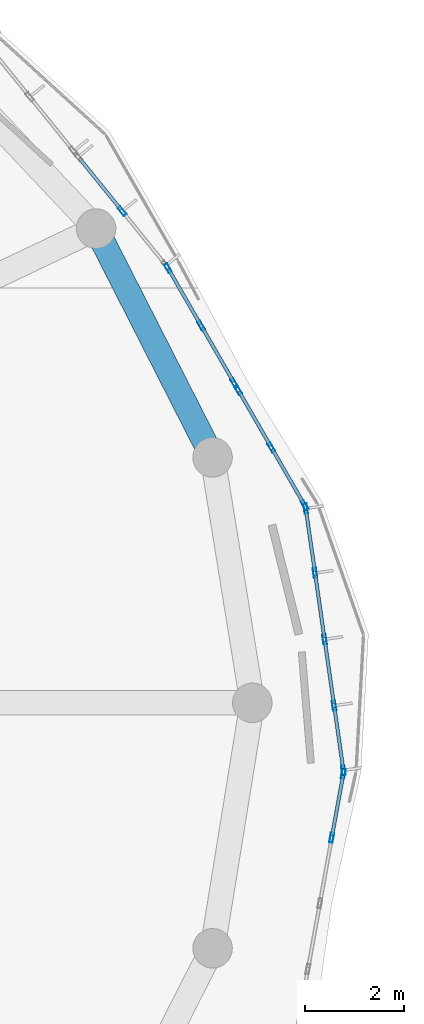
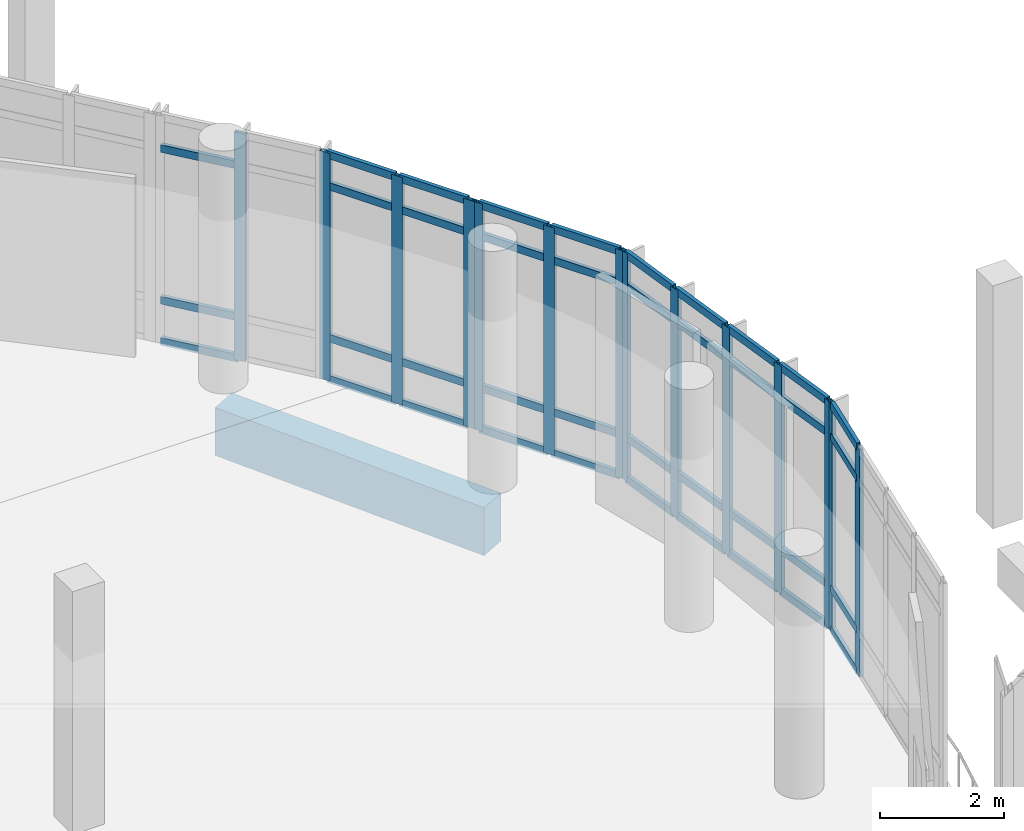
# One storey, part 15 of 63: 53 members, 1 beam, 5 elements without a shape of their own.
"""IFC4 building model written with IfcOpenShell, lengths in metres."""

from ifc_helpers import new_model, si_unit, derived_unit, direction, frame, origin, origin_2d, place, context, subcontext, project, spatial, rectangle, hollow_rectangle, extrude, material, layer, layer_set, material_profile, profile_set, type_object, element, aggregate, save


model = new_model("IFC4")

# Units and contexts
model_context = context("Model", 3, precision=1e-05, world=origin(), true_north=direction((0.0, 1.0)))
body_context = subcontext(model_context, "Body", "Model", "MODEL_VIEW")
ifc_project = project(units=[si_unit("LENGTHUNIT", "METRE"), si_unit("AREAUNIT", "SQUARE_METRE"), si_unit("VOLUMEUNIT", "CUBIC_METRE"), si_unit("PLANEANGLEUNIT", "RADIAN"), si_unit("MASSUNIT", "GRAM", prefix="KILO"), derived_unit("THERMALTRANSMITTANCEUNIT", [(si_unit("POWERUNIT", "WATT"), 1), (si_unit("LENGTHUNIT", "METRE"), -2), (si_unit("THERMODYNAMICTEMPERATUREUNIT", "KELVIN"), -1)])], contexts=[model_context])

# Site, building, storey
site_placement = place(None, origin())
site = spatial("IfcSite", under=ifc_project, at=site_placement, CompositionType="ELEMENT")
building_placement = place(site_placement, origin())
building = spatial("IfcBuilding", under=site, at=building_placement, Name="Elbkamm Science Centre", CompositionType="ELEMENT")
storey_placement = place(building_placement, frame((0.0, 0.0, 5.10009765625)))
storey = spatial("IfcBuildingStorey", under=building, at=storey_placement, Name="L01", CompositionType="ELEMENT", Elevation=5.10009765625)

# Beam
ifc_material_1 = material(Name="Concrete C40/50", Category="concrete")
ifc_material_profile_1 = material_profile(ifc_material_1, rectangle(XDim=0.5, YDim=0.949951171875, at=origin_2d()), Name="RC 500x950")
ifc_profile_set_1 = profile_set([ifc_material_profile_1], Name="Concrete C40/50")
beam_type = type_object("IfcBeamType", Name="BM-RC-500x950", PredefinedType="BEAM", material=ifc_profile_set_1)
beam_placement = place(storey_placement, frame((85.7958984375, 72.1689453125, -0.875), z_axis=(-0.453722384609, 0.891143084866, 0.0), x_axis=(-0.891143084866, -0.453722384609, 0.0)))
element("IfcBeam", 1, at=beam_placement, inside=storey, type_object=beam_type, Name="L01 Elliptical Shell Perimeter Ring Beam 02", PredefinedType="SPANDREL", context=body_context, shape_type="SweptSolid", body=[
    extrude(rectangle(XDim=0.5, YDim=0.949951171875, at=origin_2d()), origin(), (0.0, 0.0, 1.0), 5.19677734375),
])

# Curtain wall, members
ifc_material_2 = material(Name="Powder-coated aluminium and triple low-E glazing", Category="aluminium")
ifc_layer_1 = layer(ifc_material_2, 0.159912109375)
ifc_layer_set_1 = layer_set([ifc_layer_1], Name="Powder-coated aluminium and triple low-E glazing")
curtain_wall_type_1 = type_object("IfcCurtainWallType", Name="CW-UNIT-5420x4500", PredefinedType="USERDEFINED", material=ifc_layer_set_1)
curtain_wall_1_placement = place(storey_placement, origin())
curtain_wall_1 = element("IfcCurtainWall", 2, at=curtain_wall_1_placement, inside=storey, type_object=curtain_wall_type_1, Name="L01 Unitised Curtain Wall 001", ObjectType="UNITISED CURTAIN WALL", PredefinedType="USERDEFINED")
ifc_material_3 = material(Name="Powder-coated aluminium EN AW-6060", Category="aluminium")
ifc_material_profile_2 = material_profile(ifc_material_3, hollow_rectangle(XDim=0.070068359375, YDim=0.199951171875, WallThickness=0.00439453125, at=origin_2d()), Name="ALU M70x200")
ifc_profile_set_2 = profile_set([ifc_material_profile_2], Name="Powder-coated aluminium EN AW-6060")
member_type_1 = type_object("IfcMemberType", Name="CW-MUL-70x200", PredefinedType="MULLION", material=ifc_profile_set_2)
member_1_placement = place(storey_placement, frame((88.445068359375, 65.834716796875, 0.0), z_axis=(0.0, 0.0, 1.0), x_axis=(-0.989818944371, -0.142332207756, 0.0)))
member_1 = element("IfcMember", 3, at=member_1_placement, type_object=member_type_1, Name="CW-001 mullion 1", PredefinedType="MULLION", context=body_context, shape_type="SweptSolid", body=[
    extrude(hollow_rectangle(XDim=0.070068359375, YDim=0.199951171875, WallThickness=0.00439453125, at=origin_2d()), origin(), (0.0, 0.0, 1.0), 4.5),
])
member_2_placement = place(storey_placement, frame((88.2568359375, 67.142578125, 0.0), z_axis=(0.0, 0.0, 1.0), x_axis=(-0.989818944371, -0.142332207756, 0.0)))
member_2 = element("IfcMember", 4, at=member_2_placement, type_object=member_type_1, Name="CW-001 mullion 2", PredefinedType="MULLION", context=body_context, shape_type="SweptSolid", body=[
    extrude(hollow_rectangle(XDim=0.070068359375, YDim=0.199951171875, WallThickness=0.00439453125, at=origin_2d()), origin(), (0.0, 0.0, 1.0), 4.5),
])
member_3_placement = place(storey_placement, frame((88.06396484375, 68.485107421875, 0.0), z_axis=(0.0, 0.0, 1.0), x_axis=(-0.989818944371, -0.142332207756, 0.0)))
member_3 = element("IfcMember", 5, at=member_3_placement, type_object=member_type_1, Name="CW-001 mullion 3", PredefinedType="MULLION", context=body_context, shape_type="SweptSolid", body=[
    extrude(hollow_rectangle(XDim=0.070068359375, YDim=0.199951171875, WallThickness=0.00439453125, at=origin_2d()), origin(), (0.0, 0.0, 1.0), 4.5),
])
member_4_placement = place(storey_placement, frame((87.870849609375, 69.82763671875, 0.0), z_axis=(0.0, 0.0, 1.0), x_axis=(-0.989818944371, -0.142332207756, 0.0)))
member_4 = element("IfcMember", 6, at=member_4_placement, type_object=member_type_1, Name="CW-001 mullion 4", PredefinedType="MULLION", context=body_context, shape_type="SweptSolid", body=[
    extrude(hollow_rectangle(XDim=0.070068359375, YDim=0.199951171875, WallThickness=0.00439453125, at=origin_2d()), origin(), (0.0, 0.0, 1.0), 4.5),
])
member_5_placement = place(storey_placement, frame((87.682861328125, 71.135498046875, 0.0), z_axis=(0.0, 0.0, 1.0), x_axis=(-0.989818944371, -0.142332207756, 0.0)))
member_5 = element("IfcMember", 7, at=member_5_placement, type_object=member_type_1, Name="CW-001 mullion 5", PredefinedType="MULLION", context=body_context, shape_type="SweptSolid", body=[
    extrude(hollow_rectangle(XDim=0.070068359375, YDim=0.199951171875, WallThickness=0.00439453125, at=origin_2d()), origin(), (0.0, 0.0, 1.0), 4.5),
])

ifc_layer_2 = layer(ifc_material_2, 0.159912109375)
ifc_layer_set_2 = layer_set([ifc_layer_2], Name="Powder-coated aluminium and triple low-E glazing")
curtain_wall_type_2 = type_object("IfcCurtainWallType", Name="CW-UNIT-2760x4500", PredefinedType="USERDEFINED", material=ifc_layer_set_2)
curtain_wall_2_placement = place(storey_placement, origin())
curtain_wall_2 = element("IfcCurtainWall", 8, at=curtain_wall_2_placement, inside=storey, type_object=curtain_wall_type_2, Name="L01 Unitised Curtain Wall 002", ObjectType="UNITISED CURTAIN WALL", PredefinedType="USERDEFINED")
member_6_placement = place(storey_placement, frame((87.660400390625, 71.200439453125, 0.0), z_axis=(0.0, 0.0, 1.0), x_axis=(-0.866327051275, -0.499477166875, 0.0)))
member_6 = element("IfcMember", 9, at=member_6_placement, type_object=member_type_1, Name="CW-002 mullion 1", PredefinedType="MULLION", context=body_context, shape_type="SweptSolid", body=[
    extrude(hollow_rectangle(XDim=0.070068359375, YDim=0.199951171875, WallThickness=0.00439453125, at=origin_2d()), origin(), (0.0, 0.0, 1.0), 4.5),
])
member_7_placement = place(storey_placement, frame((86.9873046875, 72.36767578125, 0.0), z_axis=(0.0, 0.0, 1.0), x_axis=(-0.866327051275, -0.499477166875, 0.0)))
member_7 = element("IfcMember", 10, at=member_7_placement, type_object=member_type_1, Name="CW-002 mullion 2", PredefinedType="MULLION", context=body_context, shape_type="SweptSolid", body=[
    extrude(hollow_rectangle(XDim=0.070068359375, YDim=0.199951171875, WallThickness=0.00439453125, at=origin_2d()), origin(), (0.0, 0.0, 1.0), 4.5),
])
member_8_placement = place(storey_placement, frame((86.314208984375, 73.53515625, 0.0), z_axis=(0.0, 0.0, 1.0), x_axis=(-0.866327051275, -0.499477166875, 0.0)))
member_8 = element("IfcMember", 11, at=member_8_placement, type_object=member_type_1, Name="CW-002 mullion 3", PredefinedType="MULLION", context=body_context, shape_type="SweptSolid", body=[
    extrude(hollow_rectangle(XDim=0.070068359375, YDim=0.199951171875, WallThickness=0.00439453125, at=origin_2d()), origin(), (0.0, 0.0, 1.0), 4.5),
])

curtain_wall_3_placement = place(storey_placement, origin())
curtain_wall_3 = element("IfcCurtainWall", 12, at=curtain_wall_3_placement, inside=storey, type_object=curtain_wall_type_2, Name="L01 Unitised Curtain Wall 003", ObjectType="UNITISED CURTAIN WALL", PredefinedType="USERDEFINED")
member_9_placement = place(storey_placement, frame((86.2392578125, 73.6650390625, 0.0), z_axis=(0.0, 0.0, 1.0), x_axis=(-0.866327051275, -0.499477166875, 0.0)))
member_9 = element("IfcMember", 13, at=member_9_placement, type_object=member_type_1, Name="CW-002 mullion 1", PredefinedType="MULLION", context=body_context, shape_type="SweptSolid", body=[
    extrude(hollow_rectangle(XDim=0.070068359375, YDim=0.199951171875, WallThickness=0.00439453125, at=origin_2d()), origin(), (0.0, 0.0, 1.0), 4.5),
])
member_10_placement = place(storey_placement, frame((85.56640625, 74.832275390625, 0.0), z_axis=(0.0, 0.0, 1.0), x_axis=(-0.866327051275, -0.499477166875, 0.0)))
member_10 = element("IfcMember", 14, at=member_10_placement, type_object=member_type_1, Name="CW-002 mullion 2", PredefinedType="MULLION", context=body_context, shape_type="SweptSolid", body=[
    extrude(hollow_rectangle(XDim=0.070068359375, YDim=0.199951171875, WallThickness=0.00439453125, at=origin_2d()), origin(), (0.0, 0.0, 1.0), 4.5),
])
member_11_placement = place(storey_placement, frame((84.893310546875, 75.999755859375, 0.0), z_axis=(0.0, 0.0, 1.0), x_axis=(-0.866327051275, -0.499477166875, 0.0)))
member_11 = element("IfcMember", 15, at=member_11_placement, type_object=member_type_1, Name="CW-002 mullion 3", PredefinedType="MULLION", context=body_context, shape_type="SweptSolid", body=[
    extrude(hollow_rectangle(XDim=0.070068359375, YDim=0.199951171875, WallThickness=0.00439453125, at=origin_2d()), origin(), (0.0, 0.0, 1.0), 4.5),
])

# Curtain wall, member
ifc_layer_3 = layer(ifc_material_2, 0.159912109375)
ifc_layer_set_3 = layer_set([ifc_layer_3], Name="Powder-coated aluminium and triple low-E glazing")
curtain_wall_type_3 = type_object("IfcCurtainWallType", Name="CW-UNIT-2900x4500", PredefinedType="USERDEFINED", material=ifc_layer_set_3)
curtain_wall_4_placement = place(storey_placement, origin())
curtain_wall_4 = element("IfcCurtainWall", 16, at=curtain_wall_4_placement, inside=storey, type_object=curtain_wall_type_3, Name="L01 Unitised Curtain Wall 004", ObjectType="UNITISED CURTAIN WALL", PredefinedType="USERDEFINED")
member_12_placement = place(storey_placement, frame((83.9658203125, 77.15478515625, 0.0), z_axis=(0.0, 0.0, 1.0), x_axis=(-0.777492683372, -0.628891983811, 0.0)))
member_12 = element("IfcMember", 17, at=member_12_placement, type_object=member_type_1, Name="CW-003 mullion 2", PredefinedType="MULLION", context=body_context, shape_type="SweptSolid", body=[
    extrude(hollow_rectangle(XDim=0.070068359375, YDim=0.199951171875, WallThickness=0.00439453125, at=origin_2d()), origin(), (0.0, 0.0, 1.0), 4.5),
])

# Curtain wall, members
ifc_layer_4 = layer(ifc_material_2, 0.159912109375)
ifc_layer_set_4 = layer_set([ifc_layer_4], Name="Powder-coated aluminium and triple low-E glazing")
curtain_wall_type_4 = type_object("IfcCurtainWallType", Name="CW-UNIT-5400x4500", PredefinedType="USERDEFINED", material=ifc_layer_set_4)
curtain_wall_5_placement = place(storey_placement, origin())
curtain_wall_5 = element("IfcCurtainWall", 18, at=curtain_wall_5_placement, inside=storey, type_object=curtain_wall_type_4, Name="L01 Unitised Curtain Wall 015", ObjectType="UNITISED CURTAIN WALL", PredefinedType="USERDEFINED")
member_13_placement = place(storey_placement, frame((88.20947265625, 64.47021484375, 0.0), z_axis=(0.0, 0.0, 1.0), x_axis=(-0.984029942845, 0.178003010042, 0.0)))
member_13 = element("IfcMember", 19, at=member_13_placement, type_object=member_type_1, Name="CW-009 mullion 4", PredefinedType="MULLION", context=body_context, shape_type="SweptSolid", body=[
    extrude(hollow_rectangle(XDim=0.070068359375, YDim=0.199951171875, WallThickness=0.00439453125, at=origin_2d()), origin(), (0.0, 0.0, 1.0), 4.5),
])
member_14_placement = place(storey_placement, frame((88.44384765625, 65.765625, 0.0), z_axis=(0.0, 0.0, 1.0), x_axis=(-0.984029942845, 0.178003010042, 0.0)))
member_14 = element("IfcMember", 20, at=member_14_placement, type_object=member_type_1, Name="CW-009 mullion 5", PredefinedType="MULLION", context=body_context, shape_type="SweptSolid", body=[
    extrude(hollow_rectangle(XDim=0.070068359375, YDim=0.199951171875, WallThickness=0.00439453125, at=origin_2d()), origin(), (0.0, 0.0, 1.0), 4.5),
])

# Member
ifc_material_profile_3 = material_profile(ifc_material_3, hollow_rectangle(XDim=0.070068359375, YDim=0.14990234375, WallThickness=0.00390625, at=origin_2d()), Name="ALU T70x150")
ifc_profile_set_3 = profile_set([ifc_material_profile_3], Name="Powder-coated aluminium EN AW-6060")
member_type_2 = type_object("IfcMemberType", Name="CW-TRN-70x150", PredefinedType="USERDEFINED", material=ifc_profile_set_3)
member_15_placement = place(storey_placement, frame((88.43994140625, 65.869384765625, 0.034912109375), z_axis=(-0.142240802114, 0.989832083848, 0.0), x_axis=(-0.989832083848, -0.142240802114, 0.0)))
member_15 = element("IfcMember", 21, at=member_15_placement, type_object=member_type_2, Name="CW-001 transom 1.1", ObjectType="TRANSOM", PredefinedType="USERDEFINED", context=body_context, shape_type="SweptSolid", body=[
    extrude(hollow_rectangle(XDim=0.070068359375, YDim=0.14990234375, WallThickness=0.00390625, at=origin_2d()), origin(), (0.0, 0.0, 1.0), 1.251220703125),
])

member_16_placement = place(storey_placement, frame((88.43994140625, 65.869384765625, 0.849853515625), z_axis=(-0.142240802114, 0.989832083848, 0.0), x_axis=(-0.989832083848, -0.142240802114, 0.0)))
member_16 = element("IfcMember", 22, at=member_16_placement, type_object=member_type_2, Name="CW-001 transom 1.2", ObjectType="TRANSOM", PredefinedType="USERDEFINED", context=body_context, shape_type="SweptSolid", body=[
    extrude(hollow_rectangle(XDim=0.070068359375, YDim=0.14990234375, WallThickness=0.00390625, at=origin_2d()), origin(), (0.0, 0.0, 1.0), 1.251220703125),
])

member_17_placement = place(storey_placement, frame((88.43994140625, 65.869384765625, 3.849853515625), z_axis=(-0.142240802114, 0.989832083848, 0.0), x_axis=(-0.989832083848, -0.142240802114, 0.0)))
member_17 = element("IfcMember", 23, at=member_17_placement, type_object=member_type_2, Name="CW-001 transom 1.3", ObjectType="TRANSOM", PredefinedType="USERDEFINED", context=body_context, shape_type="SweptSolid", body=[
    extrude(hollow_rectangle(XDim=0.070068359375, YDim=0.14990234375, WallThickness=0.00390625, at=origin_2d()), origin(), (0.0, 0.0, 1.0), 1.251220703125),
])

member_18_placement = place(storey_placement, frame((88.43994140625, 65.869384765625, 4.46484375), z_axis=(-0.142240802114, 0.989832083848, 0.0), x_axis=(-0.989832083848, -0.142240802114, 0.0)))
member_18 = element("IfcMember", 24, at=member_18_placement, type_object=member_type_2, Name="CW-001 transom 1.4", ObjectType="TRANSOM", PredefinedType="USERDEFINED", context=body_context, shape_type="SweptSolid", body=[
    extrude(hollow_rectangle(XDim=0.070068359375, YDim=0.14990234375, WallThickness=0.00390625, at=origin_2d()), origin(), (0.0, 0.0, 1.0), 1.251220703125),
])

member_19_placement = place(storey_placement, frame((88.251953125, 67.17724609375, 0.034912109375), z_axis=(-0.142351322468, 0.989816195559, 0.0), x_axis=(-0.989816195559, -0.142351322468, 0.0)))
member_19 = element("IfcMember", 25, at=member_19_placement, type_object=member_type_2, Name="CW-001 transom 2.1", ObjectType="TRANSOM", PredefinedType="USERDEFINED", context=body_context, shape_type="SweptSolid", body=[
    extrude(hollow_rectangle(XDim=0.070068359375, YDim=0.14990234375, WallThickness=0.00390625, at=origin_2d()), origin(), (0.0, 0.0, 1.0), 1.286376953125),
])

member_20_placement = place(storey_placement, frame((88.251953125, 67.17724609375, 0.849853515625), z_axis=(-0.142351322468, 0.989816195559, 0.0), x_axis=(-0.989816195559, -0.142351322468, 0.0)))
member_20 = element("IfcMember", 26, at=member_20_placement, type_object=member_type_2, Name="CW-001 transom 2.2", ObjectType="TRANSOM", PredefinedType="USERDEFINED", context=body_context, shape_type="SweptSolid", body=[
    extrude(hollow_rectangle(XDim=0.070068359375, YDim=0.14990234375, WallThickness=0.00390625, at=origin_2d()), origin(), (0.0, 0.0, 1.0), 1.286376953125),
])

member_21_placement = place(storey_placement, frame((88.251953125, 67.17724609375, 3.849853515625), z_axis=(-0.142351322468, 0.989816195559, 0.0), x_axis=(-0.989816195559, -0.142351322468, 0.0)))
member_21 = element("IfcMember", 27, at=member_21_placement, type_object=member_type_2, Name="CW-001 transom 2.3", ObjectType="TRANSOM", PredefinedType="USERDEFINED", context=body_context, shape_type="SweptSolid", body=[
    extrude(hollow_rectangle(XDim=0.070068359375, YDim=0.14990234375, WallThickness=0.00390625, at=origin_2d()), origin(), (0.0, 0.0, 1.0), 1.286376953125),
])

member_22_placement = place(storey_placement, frame((88.251953125, 67.17724609375, 4.46484375), z_axis=(-0.142351322468, 0.989816195559, 0.0), x_axis=(-0.989816195559, -0.142351322468, 0.0)))
member_22 = element("IfcMember", 28, at=member_22_placement, type_object=member_type_2, Name="CW-001 transom 2.4", ObjectType="TRANSOM", PredefinedType="USERDEFINED", context=body_context, shape_type="SweptSolid", body=[
    extrude(hollow_rectangle(XDim=0.070068359375, YDim=0.14990234375, WallThickness=0.00390625, at=origin_2d()), origin(), (0.0, 0.0, 1.0), 1.286376953125),
])

member_23_placement = place(storey_placement, frame((88.058837890625, 68.519775390625, 0.034912109375), z_axis=(-0.142351322468, 0.989816195559, 0.0), x_axis=(-0.989816195559, -0.142351322468, 0.0)))
member_23 = element("IfcMember", 29, at=member_23_placement, type_object=member_type_2, Name="CW-001 transom 3.1", ObjectType="TRANSOM", PredefinedType="USERDEFINED", context=body_context, shape_type="SweptSolid", body=[
    extrude(hollow_rectangle(XDim=0.070068359375, YDim=0.14990234375, WallThickness=0.00390625, at=origin_2d()), origin(), (0.0, 0.0, 1.0), 1.286376953125),
])

member_24_placement = place(storey_placement, frame((88.058837890625, 68.519775390625, 0.849853515625), z_axis=(-0.142351322468, 0.989816195559, 0.0), x_axis=(-0.989816195559, -0.142351322468, 0.0)))
member_24 = element("IfcMember", 30, at=member_24_placement, type_object=member_type_2, Name="CW-001 transom 3.2", ObjectType="TRANSOM", PredefinedType="USERDEFINED", context=body_context, shape_type="SweptSolid", body=[
    extrude(hollow_rectangle(XDim=0.070068359375, YDim=0.14990234375, WallThickness=0.00390625, at=origin_2d()), origin(), (0.0, 0.0, 1.0), 1.286376953125),
])

member_25_placement = place(storey_placement, frame((88.058837890625, 68.519775390625, 3.849853515625), z_axis=(-0.142351322468, 0.989816195559, 0.0), x_axis=(-0.989816195559, -0.142351322468, 0.0)))
member_25 = element("IfcMember", 31, at=member_25_placement, type_object=member_type_2, Name="CW-001 transom 3.3", ObjectType="TRANSOM", PredefinedType="USERDEFINED", context=body_context, shape_type="SweptSolid", body=[
    extrude(hollow_rectangle(XDim=0.070068359375, YDim=0.14990234375, WallThickness=0.00390625, at=origin_2d()), origin(), (0.0, 0.0, 1.0), 1.286376953125),
])

member_26_placement = place(storey_placement, frame((88.058837890625, 68.519775390625, 4.46484375), z_axis=(-0.142351322468, 0.989816195559, 0.0), x_axis=(-0.989816195559, -0.142351322468, 0.0)))
member_26 = element("IfcMember", 32, at=member_26_placement, type_object=member_type_2, Name="CW-001 transom 3.4", ObjectType="TRANSOM", PredefinedType="USERDEFINED", context=body_context, shape_type="SweptSolid", body=[
    extrude(hollow_rectangle(XDim=0.070068359375, YDim=0.14990234375, WallThickness=0.00390625, at=origin_2d()), origin(), (0.0, 0.0, 1.0), 1.286376953125),
])

member_27_placement = place(storey_placement, frame((87.865966796875, 69.8623046875, 0.034912109375), z_axis=(-0.142431964142, 0.98980459465, 0.0), x_axis=(-0.98980459465, -0.142431964142, 0.0)))
member_27 = element("IfcMember", 33, at=member_27_placement, type_object=member_type_2, Name="CW-001 transom 4.1", ObjectType="TRANSOM", PredefinedType="USERDEFINED", context=body_context, shape_type="SweptSolid", body=[
    extrude(hollow_rectangle(XDim=0.070068359375, YDim=0.14990234375, WallThickness=0.00390625, at=origin_2d()), origin(), (0.0, 0.0, 1.0), 1.251220703125),
])

member_28_placement = place(storey_placement, frame((87.865966796875, 69.8623046875, 0.849853515625), z_axis=(-0.142431964142, 0.98980459465, 0.0), x_axis=(-0.98980459465, -0.142431964142, 0.0)))
member_28 = element("IfcMember", 34, at=member_28_placement, type_object=member_type_2, Name="CW-001 transom 4.2", ObjectType="TRANSOM", PredefinedType="USERDEFINED", context=body_context, shape_type="SweptSolid", body=[
    extrude(hollow_rectangle(XDim=0.070068359375, YDim=0.14990234375, WallThickness=0.00390625, at=origin_2d()), origin(), (0.0, 0.0, 1.0), 1.251220703125),
])

member_29_placement = place(storey_placement, frame((87.865966796875, 69.8623046875, 3.849853515625), z_axis=(-0.142431964142, 0.98980459465, 0.0), x_axis=(-0.98980459465, -0.142431964142, 0.0)))
member_29 = element("IfcMember", 35, at=member_29_placement, type_object=member_type_2, Name="CW-001 transom 4.3", ObjectType="TRANSOM", PredefinedType="USERDEFINED", context=body_context, shape_type="SweptSolid", body=[
    extrude(hollow_rectangle(XDim=0.070068359375, YDim=0.14990234375, WallThickness=0.00390625, at=origin_2d()), origin(), (0.0, 0.0, 1.0), 1.251220703125),
])

member_30_placement = place(storey_placement, frame((87.865966796875, 69.8623046875, 4.46484375), z_axis=(-0.142431964142, 0.98980459465, 0.0), x_axis=(-0.98980459465, -0.142431964142, 0.0)))
member_30 = element("IfcMember", 36, at=member_30_placement, type_object=member_type_2, Name="CW-001 transom 4.4", ObjectType="TRANSOM", PredefinedType="USERDEFINED", context=body_context, shape_type="SweptSolid", body=[
    extrude(hollow_rectangle(XDim=0.070068359375, YDim=0.14990234375, WallThickness=0.00390625, at=origin_2d()), origin(), (0.0, 0.0, 1.0), 1.251220703125),
])

aggregate(curtain_wall_1, [member_1, member_2, member_3, member_4, member_5, member_15, member_16, member_17, member_18, member_19, member_20, member_21, member_22, member_23, member_24, member_25, member_26, member_27, member_28, member_29, member_30])

member_31_placement = place(storey_placement, frame((87.642822265625, 71.230712890625, 0.034912109375), z_axis=(-0.499408051701, 0.86636689566, 0.0), x_axis=(-0.86636689566, -0.499408051701, 0.0)))
member_31 = element("IfcMember", 37, at=member_31_placement, type_object=member_type_2, Name="CW-002 transom 1.1", ObjectType="TRANSOM", PredefinedType="USERDEFINED", context=body_context, shape_type="SweptSolid", body=[
    extrude(hollow_rectangle(XDim=0.070068359375, YDim=0.14990234375, WallThickness=0.00390625, at=origin_2d()), origin(), (0.0, 0.0, 1.0), 1.27734375),
])

member_32_placement = place(storey_placement, frame((87.642822265625, 71.230712890625, 0.849853515625), z_axis=(-0.499408051701, 0.86636689566, 0.0), x_axis=(-0.86636689566, -0.499408051701, 0.0)))
member_32 = element("IfcMember", 38, at=member_32_placement, type_object=member_type_2, Name="CW-002 transom 1.2", ObjectType="TRANSOM", PredefinedType="USERDEFINED", context=body_context, shape_type="SweptSolid", body=[
    extrude(hollow_rectangle(XDim=0.070068359375, YDim=0.14990234375, WallThickness=0.00390625, at=origin_2d()), origin(), (0.0, 0.0, 1.0), 1.27734375),
])

member_33_placement = place(storey_placement, frame((87.642822265625, 71.230712890625, 3.849853515625), z_axis=(-0.499408051701, 0.86636689566, 0.0), x_axis=(-0.86636689566, -0.499408051701, 0.0)))
member_33 = element("IfcMember", 39, at=member_33_placement, type_object=member_type_2, Name="CW-002 transom 1.3", ObjectType="TRANSOM", PredefinedType="USERDEFINED", context=body_context, shape_type="SweptSolid", body=[
    extrude(hollow_rectangle(XDim=0.070068359375, YDim=0.14990234375, WallThickness=0.00390625, at=origin_2d()), origin(), (0.0, 0.0, 1.0), 1.27734375),
])

member_34_placement = place(storey_placement, frame((87.642822265625, 71.230712890625, 4.46484375), z_axis=(-0.499408051701, 0.86636689566, 0.0), x_axis=(-0.86636689566, -0.499408051701, 0.0)))
member_34 = element("IfcMember", 40, at=member_34_placement, type_object=member_type_2, Name="CW-002 transom 1.4", ObjectType="TRANSOM", PredefinedType="USERDEFINED", context=body_context, shape_type="SweptSolid", body=[
    extrude(hollow_rectangle(XDim=0.070068359375, YDim=0.14990234375, WallThickness=0.00390625, at=origin_2d()), origin(), (0.0, 0.0, 1.0), 1.27734375),
])

member_35_placement = place(storey_placement, frame((86.9697265625, 72.398193359375, 0.034912109375), z_axis=(-0.499490757029, 0.866319215788, 0.0), x_axis=(-0.866319215788, -0.499490757029, 0.0)))
member_35 = element("IfcMember", 41, at=member_35_placement, type_object=member_type_2, Name="CW-002 transom 2.1", ObjectType="TRANSOM", PredefinedType="USERDEFINED", context=body_context, shape_type="SweptSolid", body=[
    extrude(hollow_rectangle(XDim=0.070068359375, YDim=0.14990234375, WallThickness=0.00390625, at=origin_2d()), origin(), (0.0, 0.0, 1.0), 1.277099609375),
])

member_36_placement = place(storey_placement, frame((86.9697265625, 72.398193359375, 0.849853515625), z_axis=(-0.499490757029, 0.866319215788, 0.0), x_axis=(-0.866319215788, -0.499490757029, 0.0)))
member_36 = element("IfcMember", 42, at=member_36_placement, type_object=member_type_2, Name="CW-002 transom 2.2", ObjectType="TRANSOM", PredefinedType="USERDEFINED", context=body_context, shape_type="SweptSolid", body=[
    extrude(hollow_rectangle(XDim=0.070068359375, YDim=0.14990234375, WallThickness=0.00390625, at=origin_2d()), origin(), (0.0, 0.0, 1.0), 1.277099609375),
])

member_37_placement = place(storey_placement, frame((86.9697265625, 72.398193359375, 3.849853515625), z_axis=(-0.499490757029, 0.866319215788, 0.0), x_axis=(-0.866319215788, -0.499490757029, 0.0)))
member_37 = element("IfcMember", 43, at=member_37_placement, type_object=member_type_2, Name="CW-002 transom 2.3", ObjectType="TRANSOM", PredefinedType="USERDEFINED", context=body_context, shape_type="SweptSolid", body=[
    extrude(hollow_rectangle(XDim=0.070068359375, YDim=0.14990234375, WallThickness=0.00390625, at=origin_2d()), origin(), (0.0, 0.0, 1.0), 1.277099609375),
])

member_38_placement = place(storey_placement, frame((86.9697265625, 72.398193359375, 4.46484375), z_axis=(-0.499490757029, 0.866319215788, 0.0), x_axis=(-0.866319215788, -0.499490757029, 0.0)))
member_38 = element("IfcMember", 44, at=member_38_placement, type_object=member_type_2, Name="CW-002 transom 2.4", ObjectType="TRANSOM", PredefinedType="USERDEFINED", context=body_context, shape_type="SweptSolid", body=[
    extrude(hollow_rectangle(XDim=0.070068359375, YDim=0.14990234375, WallThickness=0.00390625, at=origin_2d()), origin(), (0.0, 0.0, 1.0), 1.277099609375),
])

aggregate(curtain_wall_2, [member_6, member_7, member_8, member_31, member_32, member_33, member_34, member_35, member_36, member_37, member_38])

member_39_placement = place(storey_placement, frame((86.221923828125, 73.6953125, 0.034912109375), z_axis=(-0.49955148753, 0.86628419777, 0.0), x_axis=(-0.86628419777, -0.49955148753, 0.0)))
member_39 = element("IfcMember", 45, at=member_39_placement, type_object=member_type_2, Name="CW-002 transom 1.1", ObjectType="TRANSOM", PredefinedType="USERDEFINED", context=body_context, shape_type="SweptSolid", body=[
    extrude(hollow_rectangle(XDim=0.070068359375, YDim=0.14990234375, WallThickness=0.00390625, at=origin_2d()), origin(), (0.0, 0.0, 1.0), 1.277587890625),
])

member_40_placement = place(storey_placement, frame((86.221923828125, 73.6953125, 0.849853515625), z_axis=(-0.49955148753, 0.86628419777, 0.0), x_axis=(-0.86628419777, -0.49955148753, 0.0)))
member_40 = element("IfcMember", 46, at=member_40_placement, type_object=member_type_2, Name="CW-002 transom 1.2", ObjectType="TRANSOM", PredefinedType="USERDEFINED", context=body_context, shape_type="SweptSolid", body=[
    extrude(hollow_rectangle(XDim=0.070068359375, YDim=0.14990234375, WallThickness=0.00390625, at=origin_2d()), origin(), (0.0, 0.0, 1.0), 1.277587890625),
])

member_41_placement = place(storey_placement, frame((86.221923828125, 73.6953125, 3.849853515625), z_axis=(-0.49955148753, 0.86628419777, 0.0), x_axis=(-0.86628419777, -0.49955148753, 0.0)))
member_41 = element("IfcMember", 47, at=member_41_placement, type_object=member_type_2, Name="CW-002 transom 1.3", ObjectType="TRANSOM", PredefinedType="USERDEFINED", context=body_context, shape_type="SweptSolid", body=[
    extrude(hollow_rectangle(XDim=0.070068359375, YDim=0.14990234375, WallThickness=0.00390625, at=origin_2d()), origin(), (0.0, 0.0, 1.0), 1.277587890625),
])

member_42_placement = place(storey_placement, frame((86.221923828125, 73.6953125, 4.46484375), z_axis=(-0.49955148753, 0.86628419777, 0.0), x_axis=(-0.86628419777, -0.49955148753, 0.0)))
member_42 = element("IfcMember", 48, at=member_42_placement, type_object=member_type_2, Name="CW-002 transom 1.4", ObjectType="TRANSOM", PredefinedType="USERDEFINED", context=body_context, shape_type="SweptSolid", body=[
    extrude(hollow_rectangle(XDim=0.070068359375, YDim=0.14990234375, WallThickness=0.00390625, at=origin_2d()), origin(), (0.0, 0.0, 1.0), 1.277587890625),
])

member_43_placement = place(storey_placement, frame((85.548828125, 74.86279296875, 0.034912109375), z_axis=(-0.499634200814, 0.866236495062, 0.0), x_axis=(-0.866236495062, -0.499634200814, 0.0)))
member_43 = element("IfcMember", 49, at=member_43_placement, type_object=member_type_2, Name="CW-002 transom 2.1", ObjectType="TRANSOM", PredefinedType="USERDEFINED", context=body_context, shape_type="SweptSolid", body=[
    extrude(hollow_rectangle(XDim=0.070068359375, YDim=0.14990234375, WallThickness=0.00390625, at=origin_2d()), origin(), (0.0, 0.0, 1.0), 1.27734375),
])

member_44_placement = place(storey_placement, frame((85.548828125, 74.86279296875, 0.849853515625), z_axis=(-0.499634200814, 0.866236495062, 0.0), x_axis=(-0.866236495062, -0.499634200814, 0.0)))
member_44 = element("IfcMember", 50, at=member_44_placement, type_object=member_type_2, Name="CW-002 transom 2.2", ObjectType="TRANSOM", PredefinedType="USERDEFINED", context=body_context, shape_type="SweptSolid", body=[
    extrude(hollow_rectangle(XDim=0.070068359375, YDim=0.14990234375, WallThickness=0.00390625, at=origin_2d()), origin(), (0.0, 0.0, 1.0), 1.27734375),
])

member_45_placement = place(storey_placement, frame((85.548828125, 74.86279296875, 3.849853515625), z_axis=(-0.499634200814, 0.866236495062, 0.0), x_axis=(-0.866236495062, -0.499634200814, 0.0)))
member_45 = element("IfcMember", 51, at=member_45_placement, type_object=member_type_2, Name="CW-002 transom 2.3", ObjectType="TRANSOM", PredefinedType="USERDEFINED", context=body_context, shape_type="SweptSolid", body=[
    extrude(hollow_rectangle(XDim=0.070068359375, YDim=0.14990234375, WallThickness=0.00390625, at=origin_2d()), origin(), (0.0, 0.0, 1.0), 1.27734375),
])

member_46_placement = place(storey_placement, frame((85.548828125, 74.86279296875, 4.46484375), z_axis=(-0.499634200814, 0.866236495062, 0.0), x_axis=(-0.866236495062, -0.499634200814, 0.0)))
member_46 = element("IfcMember", 52, at=member_46_placement, type_object=member_type_2, Name="CW-002 transom 2.4", ObjectType="TRANSOM", PredefinedType="USERDEFINED", context=body_context, shape_type="SweptSolid", body=[
    extrude(hollow_rectangle(XDim=0.070068359375, YDim=0.14990234375, WallThickness=0.00390625, at=origin_2d()), origin(), (0.0, 0.0, 1.0), 1.27734375),
])

aggregate(curtain_wall_3, [member_9, member_10, member_11, member_39, member_40, member_41, member_42, member_43, member_44, member_45, member_46])

member_47_placement = place(storey_placement, frame((83.94384765625, 77.18212890625, 0.034912109375), z_axis=(-0.628857925854, 0.777520230663, 0.0), x_axis=(-0.777520230663, -0.628857925854, 0.0)))
member_47 = element("IfcMember", 53, at=member_47_placement, type_object=member_type_2, Name="CW-003 transom 2.1", ObjectType="TRANSOM", PredefinedType="USERDEFINED", context=body_context, shape_type="SweptSolid", body=[
    extrude(hollow_rectangle(XDim=0.070068359375, YDim=0.14990234375, WallThickness=0.00390625, at=origin_2d()), origin(), (0.0, 0.0, 1.0), 1.341796875),
])

member_48_placement = place(storey_placement, frame((83.94384765625, 77.18212890625, 0.849853515625), z_axis=(-0.628857925854, 0.777520230663, 0.0), x_axis=(-0.777520230663, -0.628857925854, 0.0)))
member_48 = element("IfcMember", 54, at=member_48_placement, type_object=member_type_2, Name="CW-003 transom 2.2", ObjectType="TRANSOM", PredefinedType="USERDEFINED", context=body_context, shape_type="SweptSolid", body=[
    extrude(hollow_rectangle(XDim=0.070068359375, YDim=0.14990234375, WallThickness=0.00390625, at=origin_2d()), origin(), (0.0, 0.0, 1.0), 1.341796875),
])

member_49_placement = place(storey_placement, frame((83.94384765625, 77.18212890625, 3.849853515625), z_axis=(-0.628857925854, 0.777520230663, 0.0), x_axis=(-0.777520230663, -0.628857925854, 0.0)))
member_49 = element("IfcMember", 55, at=member_49_placement, type_object=member_type_2, Name="CW-003 transom 2.3", ObjectType="TRANSOM", PredefinedType="USERDEFINED", context=body_context, shape_type="SweptSolid", body=[
    extrude(hollow_rectangle(XDim=0.070068359375, YDim=0.14990234375, WallThickness=0.00390625, at=origin_2d()), origin(), (0.0, 0.0, 1.0), 1.341796875),
])

aggregate(curtain_wall_4, [member_12, member_47, member_48, member_49])

member_50_placement = place(storey_placement, frame((88.215576171875, 64.504638671875, 0.034912109375), z_axis=(0.17804080469, 0.984023105351, 0.0), x_axis=(-0.984023105351, 0.17804080469, 0.0)))
member_50 = element("IfcMember", 56, at=member_50_placement, type_object=member_type_2, Name="CW-009 transom 4.1", ObjectType="TRANSOM", PredefinedType="USERDEFINED", context=body_context, shape_type="SweptSolid", body=[
    extrude(hollow_rectangle(XDim=0.070068359375, YDim=0.14990234375, WallThickness=0.00390625, at=origin_2d()), origin(), (0.0, 0.0, 1.0), 1.24658203125),
])

member_51_placement = place(storey_placement, frame((88.215576171875, 64.504638671875, 0.849853515625), z_axis=(0.17804080469, 0.984023105351, 0.0), x_axis=(-0.984023105351, 0.17804080469, 0.0)))
member_51 = element("IfcMember", 57, at=member_51_placement, type_object=member_type_2, Name="CW-009 transom 4.2", ObjectType="TRANSOM", PredefinedType="USERDEFINED", context=body_context, shape_type="SweptSolid", body=[
    extrude(hollow_rectangle(XDim=0.070068359375, YDim=0.14990234375, WallThickness=0.00390625, at=origin_2d()), origin(), (0.0, 0.0, 1.0), 1.24658203125),
])

member_52_placement = place(storey_placement, frame((88.215576171875, 64.504638671875, 3.849853515625), z_axis=(0.17804080469, 0.984023105351, 0.0), x_axis=(-0.984023105351, 0.17804080469, 0.0)))
member_52 = element("IfcMember", 58, at=member_52_placement, type_object=member_type_2, Name="CW-009 transom 4.3", ObjectType="TRANSOM", PredefinedType="USERDEFINED", context=body_context, shape_type="SweptSolid", body=[
    extrude(hollow_rectangle(XDim=0.070068359375, YDim=0.14990234375, WallThickness=0.00390625, at=origin_2d()), origin(), (0.0, 0.0, 1.0), 1.24658203125),
])

member_53_placement = place(storey_placement, frame((88.215576171875, 64.504638671875, 4.46484375), z_axis=(0.17804080469, 0.984023105351, 0.0), x_axis=(-0.984023105351, 0.17804080469, 0.0)))
member_53 = element("IfcMember", 59, at=member_53_placement, type_object=member_type_2, Name="CW-009 transom 4.4", ObjectType="TRANSOM", PredefinedType="USERDEFINED", context=body_context, shape_type="SweptSolid", body=[
    extrude(hollow_rectangle(XDim=0.070068359375, YDim=0.14990234375, WallThickness=0.00390625, at=origin_2d()), origin(), (0.0, 0.0, 1.0), 1.24658203125),
])

aggregate(curtain_wall_5, [member_13, member_14, member_50, member_51, member_52, member_53])

save(model, "model.ifc")
